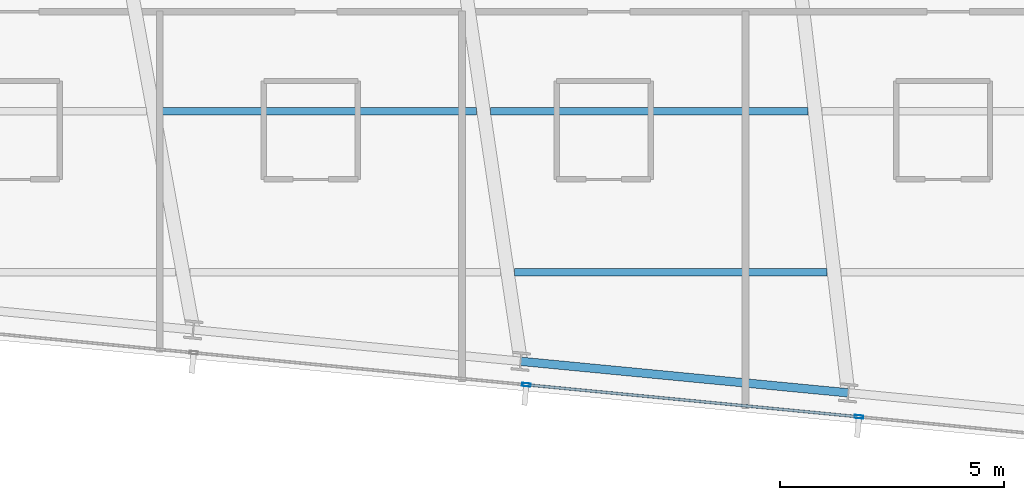
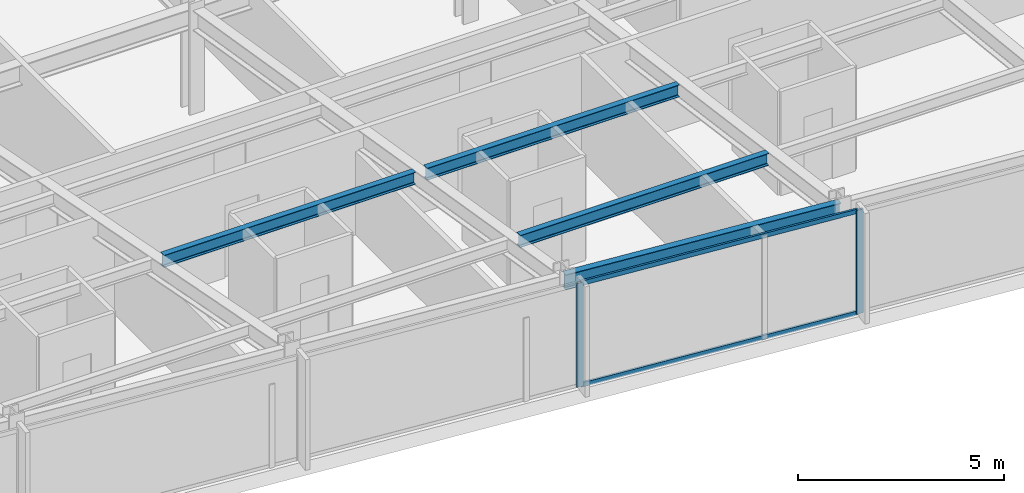
# One storey, part 12 of 37: 4 beams, 4 members, 1 element without a shape of its own.
"""IFC4 building model written with IfcOpenShell, lengths in metres."""

from ifc_helpers import new_model, si_unit, direction, frame, origin, origin_2d, place, context, subcontext, project, spatial, hollow_rectangle, i_section, extrude, material, material_profile, profile_set, type_object, element, aggregate, save


model = new_model("IFC4")

# Units and contexts
model_context = context("Model", 3, precision=1e-05, world=origin(), true_north=direction((0.0, 1.0)))
body_context = subcontext(model_context, "Body", "Model", "MODEL_VIEW")
ifc_project = project(units=[si_unit("LENGTHUNIT", "METRE"), si_unit("AREAUNIT", "SQUARE_METRE"), si_unit("VOLUMEUNIT", "CUBIC_METRE"), si_unit("PLANEANGLEUNIT", "RADIAN"), si_unit("MASSUNIT", "GRAM", prefix="KILO")], contexts=[model_context])

# Site, building, storey
site_placement = place(None, origin())
site = spatial("IfcSite", under=ifc_project, at=site_placement, CompositionType="ELEMENT")
building_placement = place(site_placement, origin())
building = spatial("IfcBuilding", under=site, at=building_placement, Name="Yelkora Congress Tower", CompositionType="ELEMENT")
storey_placement = place(building_placement, frame((0.0, 0.0, 149.0)))
storey = spatial("IfcBuildingStorey", under=building, at=storey_placement, Name="L40", CompositionType="ELEMENT", Elevation=149.0)

# Beams
ifc_material_1 = material(Name="Steel S355J2", Category="steel")
ifc_material_profile_1 = material_profile(ifc_material_1, i_section(OverallWidth=0.169921875, OverallDepth=0.360107421875, WebThickness=0.008056640625, FlangeThickness=0.0126953125, FilletRadius=0.01806640625, at=origin_2d()), Name="IPE 360")
ifc_profile_set_1 = profile_set([ifc_material_profile_1], Name="Steel S355J2")
beam_type_1 = type_object("IfcBeamType", Name="BM-JOIST-IPE360", PredefinedType="JOIST", material=ifc_profile_set_1)
beam_1_placement = place(storey_placement, frame((40.39990234375, 12.8212890625, 2.89990234375), z_axis=(1.0, 0.0, 0.0), x_axis=(0.0, 1.0, 0.0)))
element("IfcBeam", 1, at=beam_1_placement, inside=storey, type_object=beam_type_1, Name="L40 Composite Floor Joist 3", PredefinedType="JOIST", context=body_context, shape_type="SweptSolid", body=[
    extrude(i_section(OverallWidth=0.169921875, OverallDepth=0.360107421875, WebThickness=0.008056640625, FlangeThickness=0.0126953125, FilletRadius=0.01806640625, at=origin_2d()), origin(), (0.0, 0.0, 1.0), 6.98095703125),
])
beam_2_placement = place(storey_placement, frame((32.481201171875, 16.421142578125, 2.89990234375), z_axis=(1.0, 0.0, 0.0), x_axis=(0.0, 1.0, 0.0)))
element("IfcBeam", 2, at=beam_2_placement, inside=storey, type_object=beam_type_1, Name="L40 Composite Floor Joist 9", PredefinedType="JOIST", context=body_context, shape_type="SweptSolid", body=[
    extrude(i_section(OverallWidth=0.169921875, OverallDepth=0.360107421875, WebThickness=0.008056640625, FlangeThickness=0.0126953125, FilletRadius=0.01806640625, at=origin_2d()), origin(), (0.0, 0.0, 1.0), 7.063720703125),
])
beam_3_placement = place(storey_placement, frame((39.86474609375, 16.421142578125, 2.89990234375), z_axis=(1.0, 0.0, 0.0), x_axis=(0.0, 1.0, 0.0)))
element("IfcBeam", 3, at=beam_3_placement, inside=storey, type_object=beam_type_1, Name="L40 Composite Floor Joist 10", PredefinedType="JOIST", context=body_context, shape_type="SweptSolid", body=[
    extrude(i_section(OverallWidth=0.169921875, OverallDepth=0.360107421875, WebThickness=0.008056640625, FlangeThickness=0.0126953125, FilletRadius=0.01806640625, at=origin_2d()), origin(), (0.0, 0.0, 1.0), 7.09130859375),
])
ifc_material_profile_2 = material_profile(ifc_material_1, i_section(OverallWidth=0.18994140625, OverallDepth=0.449951171875, WebThickness=0.009521484375, FlangeThickness=0.0146484375, FilletRadius=0.02099609375, at=origin_2d()), Name="IPE 450")
ifc_profile_set_2 = profile_set([ifc_material_profile_2], Name="Steel S355J2")
beam_type_2 = type_object("IfcBeamType", Name="BM-SPAN-IPE450", PredefinedType="SPANDREL", material=ifc_profile_set_2)
beam_4_placement = place(storey_placement, frame((40.53564453125, 10.83154296875, 2.85498046875), z_axis=(0.995397104697, -0.095836339457, 0.0), x_axis=(0.095836339457, 0.995397104697, 0.0)))
element("IfcBeam", 4, at=beam_4_placement, inside=storey, type_object=beam_type_2, Name="L40 Perimeter Beam 7", PredefinedType="SPANDREL", context=body_context, shape_type="SweptSolid", body=[
    extrude(i_section(OverallWidth=0.18994140625, OverallDepth=0.449951171875, WebThickness=0.009521484375, FlangeThickness=0.0146484375, FilletRadius=0.02099609375, at=origin_2d()), origin(), (0.0, 0.0, 1.0), 7.357177734375),
])

# Curtain wall, members
ifc_material_2 = material(Name="Anodised aluminium and insulated glass", Category="aluminium")
curtain_wall_type = type_object("IfcCurtainWallType", Name="CW-SYS-B3", PredefinedType="NOTDEFINED", material=ifc_material_2)
curtain_wall_placement = place(storey_placement, origin())
curtain_wall = element("IfcCurtainWall", 5, at=curtain_wall_placement, inside=storey, type_object=curtain_wall_type, Name="L40 Unitised Curtain Wall 20", PredefinedType="NOTDEFINED")
ifc_material_3 = material(Name="Anodised aluminium 6063-T6", Category="aluminium")
ifc_material_profile_3 = material_profile(ifc_material_3, hollow_rectangle(XDim=0.070068359375, YDim=0.18994140625, WallThickness=0.00390625, at=origin_2d()), Name="ALU 70x190x4")
ifc_profile_set_3 = profile_set([ifc_material_profile_3], Name="Anodised aluminium 6063-T6")
member_type_1 = type_object("IfcMemberType", Name="MEM-ML-B3", PredefinedType="MULLION", material=ifc_profile_set_3)
member_1_placement = place(storey_placement, frame((48.1015625, 9.590576171875, 0.0), z_axis=(0.0, 0.0, 1.0), x_axis=(-0.095844680679, -0.995396301573, 0.0)))
member_1 = element("IfcMember", 6, at=member_1_placement, type_object=member_type_1, Name="CW-B3 mullion 2", PredefinedType="MULLION", context=body_context, shape_type="SweptSolid", body=[
    extrude(hollow_rectangle(XDim=0.070068359375, YDim=0.18994140625, WallThickness=0.00390625, at=origin_2d()), origin(), (0.0, 0.0, 1.0), 3.080078125),
])
member_2_placement = place(storey_placement, frame((40.66162109375, 10.30712890625, 0.0), z_axis=(0.0, 0.0, 1.0), x_axis=(-0.095844680679, -0.995396301573, 0.0)))
member_2 = element("IfcMember", 7, at=member_2_placement, type_object=member_type_1, Name="CW-B3 mullion 3", PredefinedType="MULLION", context=body_context, shape_type="SweptSolid", body=[
    extrude(hollow_rectangle(XDim=0.070068359375, YDim=0.18994140625, WallThickness=0.00390625, at=origin_2d()), origin(), (0.0, 0.0, 1.0), 3.080078125),
])
ifc_material_profile_4 = material_profile(ifc_material_3, hollow_rectangle(XDim=0.06005859375, YDim=0.1298828125, WallThickness=0.00390625, at=origin_2d()), Name="ALU 60x130x4")
ifc_profile_set_4 = profile_set([ifc_material_profile_4], Name="Anodised aluminium 6063-T6")
member_type_2 = type_object("IfcMemberType", Name="MEM-TR-B3", PredefinedType="USERDEFINED", material=ifc_profile_set_4)
member_3_placement = place(storey_placement, frame((48.066650390625, 9.593994140625, 0.030029296875), z_axis=(-0.99539548672, 0.095853142967, 0.0), x_axis=(-0.095853142967, -0.99539548672, 0.0)))
member_3 = element("IfcMember", 8, at=member_3_placement, type_object=member_type_2, Name="CW-B3 transom 2.1", ObjectType="TRANSOM", PredefinedType="USERDEFINED", context=body_context, shape_type="SweptSolid", body=[
    extrude(hollow_rectangle(XDim=0.06005859375, YDim=0.1298828125, WallThickness=0.00390625, at=origin_2d()), origin(), (0.0, 0.0, 1.0), 7.404296875),
])
member_4_placement = place(storey_placement, frame((48.066650390625, 9.593994140625, 3.050048828125), z_axis=(-0.99539548672, 0.095853142967, 0.0), x_axis=(-0.095853142967, -0.99539548672, 0.0)))
member_4 = element("IfcMember", 9, at=member_4_placement, type_object=member_type_2, Name="CW-B3 transom 2.2", ObjectType="TRANSOM", PredefinedType="USERDEFINED", context=body_context, shape_type="SweptSolid", body=[
    extrude(hollow_rectangle(XDim=0.06005859375, YDim=0.1298828125, WallThickness=0.00390625, at=origin_2d()), origin(), (0.0, 0.0, 1.0), 7.404296875),
])
aggregate(curtain_wall, [member_1, member_2, member_3, member_4])

save(model, "model.ifc")
